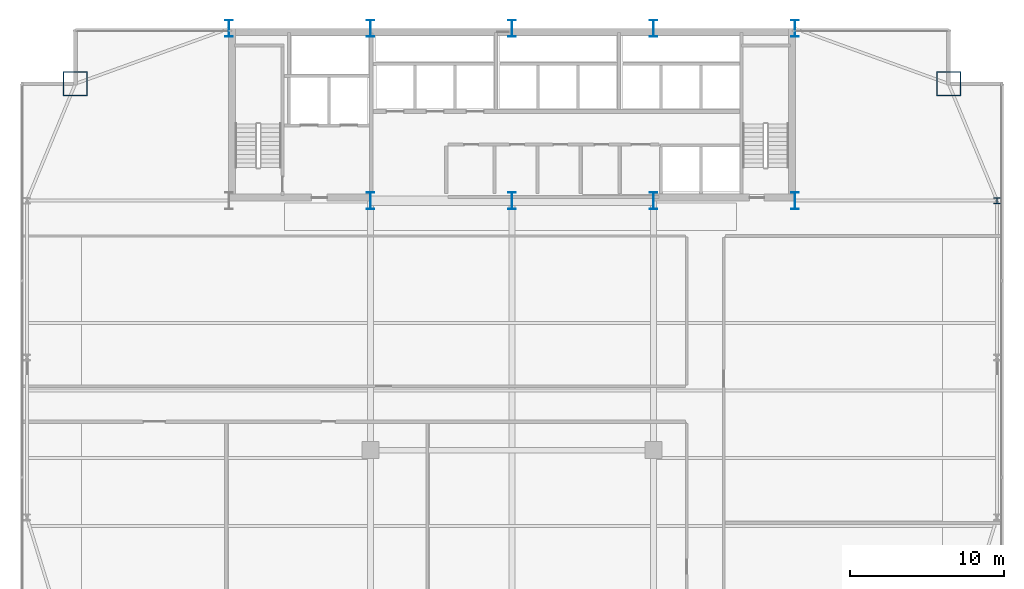
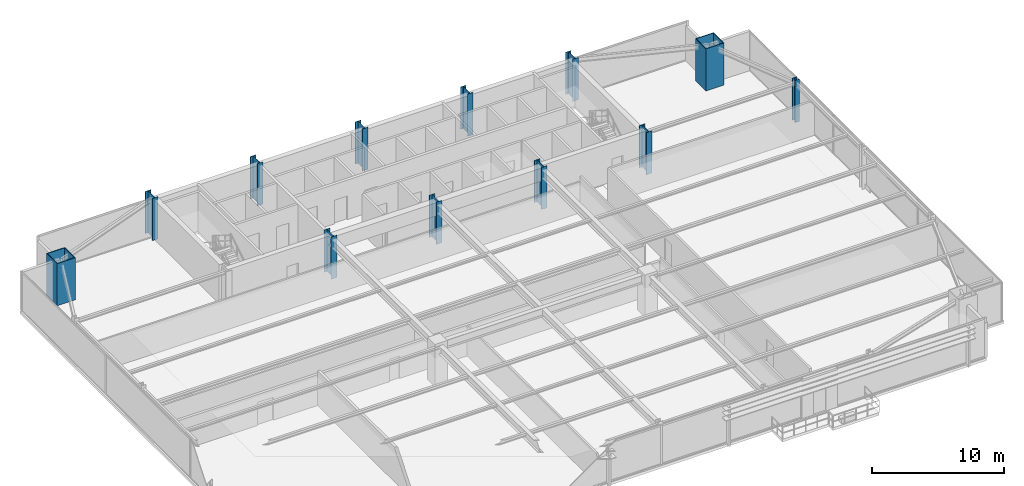
# One storey, part 2 of 31: 12 columns.
"""IFC4 building model written with IfcOpenShell, lengths in metres."""

from ifc_helpers import new_model, si_unit, direction, frame, origin, origin_2d, place, context, subcontext, project, spatial, hollow_rectangle, i_section, extrude, source, transform, mapped, material, material_profile, profile_set, type_object, type_shapes, element, save


model = new_model("IFC4")

# Units and contexts
model_context = context("Model", 3, precision=1e-05, world=origin(), true_north=direction((0.0, 1.0)))
body_context = subcontext(model_context, "Body", "Model", "MODEL_VIEW")
ifc_project = project(units=[si_unit("LENGTHUNIT", "METRE"), si_unit("AREAUNIT", "SQUARE_METRE"), si_unit("VOLUMEUNIT", "CUBIC_METRE"), si_unit("PLANEANGLEUNIT", "RADIAN"), si_unit("MASSUNIT", "GRAM", prefix="KILO")], contexts=[model_context])

# Site, building, storey
site_placement = place(None, origin())
site = spatial("IfcSite", under=ifc_project, at=site_placement, CompositionType="ELEMENT")
building_placement = place(site_placement, origin())
building = spatial("IfcBuilding", under=site, at=building_placement, Name="Varnel Quay Broadcast Tower", CompositionType="ELEMENT")
storey_placement = place(building_placement, frame((0.0, 0.0, 51.0)))
storey = spatial("IfcBuildingStorey", under=building, at=storey_placement, Name="L11", CompositionType="ELEMENT", Elevation=51.0)

# Columns
ifc_material_1 = material(Name="Structural Steel CSA G40.21 350WT", Category="steel")
ifc_material_profile_1 = material_profile(ifc_material_1, i_section(OverallWidth=0.5, OverallDepth=1.10009765625, WebThickness=0.01806640625, FlangeThickness=0.031982421875, FilletRadius=0.01806640625, at=origin_2d()), Name="WWF1100X418")
ifc_profile_set_1 = profile_set([ifc_material_profile_1], Name="Structural Steel CSA G40.21 350WT")
column_type_1 = type_object("IfcColumnType", Name="Col_WWF1100X418", PredefinedType="COLUMN", material=ifc_profile_set_1)
shared_shape_1 = source(origin(), body_context, "Body", "SweptSolid", [
    extrude(i_section(OverallWidth=0.5, OverallDepth=1.10009765625, WebThickness=0.01806640625, FlangeThickness=0.031982421875, FilletRadius=0.01806640625, at=origin_2d()), origin(), (0.0, 0.0, 1.0), 3.89990234375),
])
type_shapes(column_type_1, [shared_shape_1])
for number, where, z_axis, x_axis, name in (
    (1, (15.60009765625, 46.800048828125, 0.0), (0.0, 0.0, 1.0), (1.0, 0.0, 0.0), "L11 Column CC-N1"),
    (2, (24.800048828125, 35.60009765625, 0.0), (0.0, 0.0, 1.0), (1.0, 0.0, 0.0), "L11 Column CC-S2"),
    (3, (24.800048828125, 46.800048828125, 0.0), (0.0, 0.0, 1.0), (1.0, 0.0, 0.0), "L11 Column CC-N2"),
    (4, (34.0, 35.60009765625, 0.0), (0.0, 0.0, 1.0), (1.0, 0.0, 0.0), "L11 Column CC-S3"),
    (5, (34.0, 46.800048828125, 0.0), (0.0, 0.0, 1.0), (1.0, 0.0, 0.0), "L11 Column CC-N3"),
    (6, (43.199951171875, 35.60009765625, 0.0), (0.0, 0.0, 1.0), (1.0, 0.0, 0.0), "L11 Column CC-S4"),
    (7, (43.199951171875, 46.800048828125, 0.0), (0.0, 0.0, 1.0), (1.0, 0.0, 0.0), "L11 Column CC-N4"),
    (8, (52.39990234375, 35.60009765625, 0.0), (0.0, 0.0, 1.0), (1.0, 0.0, 0.0), "L11 Column CC-S5"),
    (9, (52.39990234375, 46.800048828125, 0.0), (0.0, 0.0, 1.0), (1.0, 0.0, 0.0), "L11 Column CC-N5"),
):
    element("IfcColumn", number, at=place(storey_placement, frame(where, z_axis=z_axis, x_axis=x_axis)), inside=storey, type_object=column_type_1, Name=name, PredefinedType="COLUMN", context=body_context, shape_type="MappedRepresentation", body=[
        mapped(shared_shape_1, transform((0.0, 0.0, 0.0), x_axis=(1.0, 0.0, 0.0), y_axis=(0.0, 1.0, 0.0), z_axis=(0.0, 0.0, 1.0), scale=1.0)),
    ])
ifc_material_profile_2 = material_profile(ifc_material_1, hollow_rectangle(XDim=1.60009765625, YDim=1.60009765625, WallThickness=0.06005859375, at=origin_2d()), Name="BOX1600X1600X60")
ifc_profile_set_2 = profile_set([ifc_material_profile_2], Name="Structural Steel CSA G40.21 350WT")
column_type_2 = type_object("IfcColumnType", Name="Col_BOX1600X1600X60", PredefinedType="COLUMN", material=ifc_profile_set_2)
shared_shape_2 = source(origin(), body_context, "Body", "SweptSolid", [
    extrude(hollow_rectangle(XDim=1.60009765625, YDim=1.60009765625, WallThickness=0.06005859375, at=origin_2d()), origin(), (0.0, 0.0, 1.0), 3.89990234375),
])
type_shapes(column_type_2, [shared_shape_2])
for number, where, z_axis, x_axis, name in (
    (10, (62.39990234375, 43.199951171875, 0.0), (0.0, 0.0, 1.0), (1.0, 0.0, 0.0), "L11 Column MC-NE"),
    (11, (5.60009765625, 43.199951171875, 0.0), (0.0, 0.0, 1.0), (1.0, 0.0, 0.0), "L11 Column MC-NW"),
):
    element("IfcColumn", number, at=place(storey_placement, frame(where, z_axis=z_axis, x_axis=x_axis)), inside=storey, type_object=column_type_2, Name=name, PredefinedType="COLUMN", context=body_context, shape_type="MappedRepresentation", body=[
        mapped(shared_shape_2, transform((0.0, 0.0, 0.0), x_axis=(1.0, 0.0, 0.0), y_axis=(0.0, 1.0, 0.0), z_axis=(0.0, 0.0, 1.0), scale=1.0)),
    ])
ifc_material_2 = material(Name="Structural Steel CSA G40.21 350W", Category="steel")
ifc_material_profile_3 = material_profile(ifc_material_2, i_section(OverallWidth=0.404052734375, OverallDepth=0.406982421875, WebThickness=0.027099609375, FlangeThickness=0.043701171875, FilletRadius=0.01806640625, at=origin_2d()), Name="W360X347")
ifc_profile_set_3 = profile_set([ifc_material_profile_3], Name="Structural Steel CSA G40.21 350W")
column_type_3 = type_object("IfcColumnType", Name="Col_W360X347", PredefinedType="COLUMN", material=ifc_profile_set_3)
shared_shape_3 = source(origin(), body_context, "Body", "SweptSolid", [
    extrude(i_section(OverallWidth=0.404052734375, OverallDepth=0.406982421875, WebThickness=0.027099609375, FlangeThickness=0.043701171875, FilletRadius=0.01806640625, at=origin_2d()), origin(), (0.0, 0.0, 1.0), 3.89990234375),
])
type_shapes(column_type_3, [shared_shape_3])
column_placement = place(storey_placement, frame((65.550048828125, 35.60009765625, 0.0), z_axis=(0.0, 0.0, 1.0), x_axis=(1.0, 0.0, 0.0)))
element("IfcColumn", 12, at=column_placement, inside=storey, type_object=column_type_3, Name="L11 Column TC-E3", PredefinedType="COLUMN", context=body_context, shape_type="MappedRepresentation", body=[
    mapped(shared_shape_3, transform((0.0, 0.0, 0.0), x_axis=(1.0, 0.0, 0.0), y_axis=(0.0, 1.0, 0.0), z_axis=(0.0, 0.0, 1.0), scale=1.0)),
])

save(model, "model.ifc")
